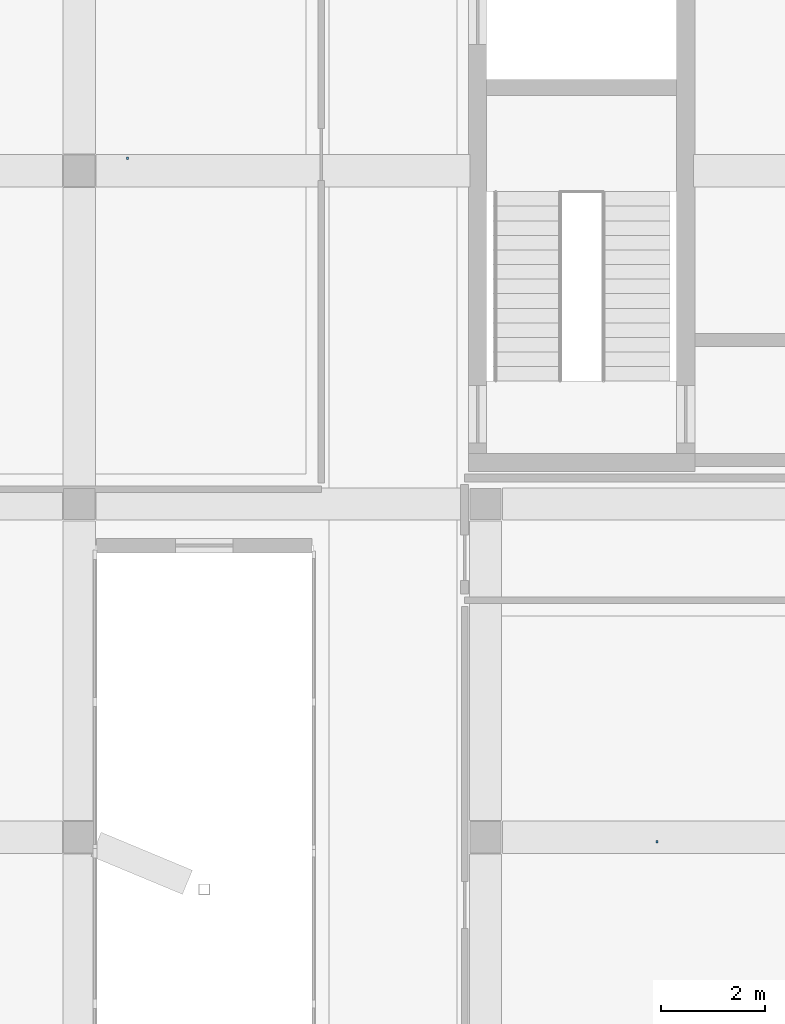
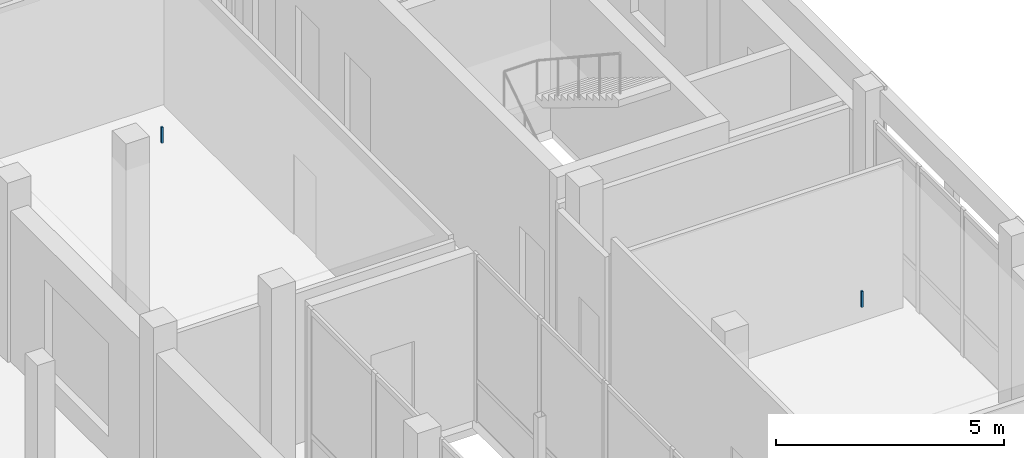
# One storey, part 66 of 88: 2 discrete accessories.
"""IFC4 building model written with IfcOpenShell, lengths in metres."""

from ifc_helpers import new_model, si_unit, derived_unit, direction, frame, origin, origin_2d, place, context, subcontext, project, spatial, rectangle, extrude, material, type_object, element, save


model = new_model("IFC4")

# Units and contexts
model_context = context("Model", 3, precision=1e-05, world=origin(), true_north=direction((0.0, 1.0)))
body_context = subcontext(model_context, "Body", "Model", "MODEL_VIEW")
ifc_project = project(units=[si_unit("LENGTHUNIT", "METRE"), si_unit("AREAUNIT", "SQUARE_METRE"), si_unit("VOLUMEUNIT", "CUBIC_METRE"), si_unit("PLANEANGLEUNIT", "RADIAN"), si_unit("MASSUNIT", "GRAM", prefix="KILO"), derived_unit("THERMALTRANSMITTANCEUNIT", [(si_unit("POWERUNIT", "WATT"), 1), (si_unit("LENGTHUNIT", "METRE"), -2), (si_unit("THERMODYNAMICTEMPERATUREUNIT", "KELVIN"), -1)])], contexts=[model_context])

# Site, building, storey
site_placement = place(None, origin())
site = spatial("IfcSite", under=ifc_project, at=site_placement, CompositionType="ELEMENT")
building_placement = place(site_placement, origin())
building = spatial("IfcBuilding", under=site, at=building_placement, Name="Braskholm Square Health Centre", CompositionType="ELEMENT")
storey_placement = place(building_placement, origin())
storey = spatial("IfcBuildingStorey", under=building, at=storey_placement, Name="L01", CompositionType="ELEMENT", Elevation=0.0)

# Discrete accessories
ifc_material = material(Name="Steel ASTM A500 Grade C", Category="steel")
discrete_accessory_type = type_object("IfcDiscreteAccessoryType", Name="CeilingSuspensionBracket", PredefinedType="BRACKET", material=ifc_material)
for number, where, z_axis, x_axis, name in (
    (1, (159.89697265625, 42.514892578125, 4.08203125), (0.0, 0.0, 1.0), (1.0, 0.0, 0.0), "Ceiling hanger bracket 0117"),
    (2, (149.72705078125, 55.639892578125, 4.08203125), (0.0, 0.0, 1.0), (1.0, 0.0, 0.0), "Ceiling hanger bracket 0127"),
):
    element("IfcDiscreteAccessory", number, at=place(storey_placement, frame(where, z_axis=z_axis, x_axis=x_axis)), inside=storey, type_object=discrete_accessory_type, Name=name, PredefinedType="BRACKET", context=body_context, shape_type="SweptSolid", body=[
        extrude(rectangle(XDim=0.044921875, YDim=0.044921875, at=origin_2d()), origin(), (0.0, 0.0, 1.0), 0.429931640625),
    ])

save(model, "model.ifc")
